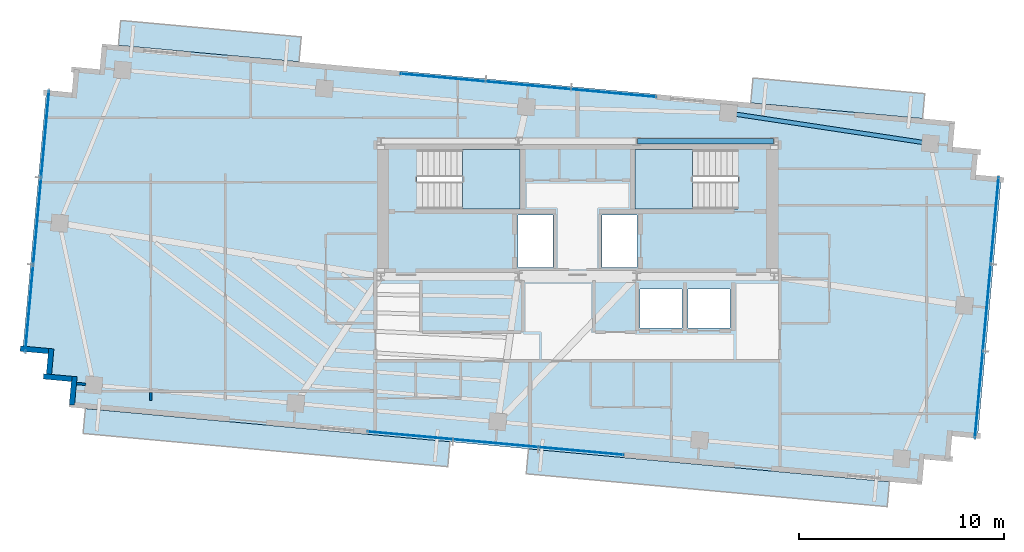
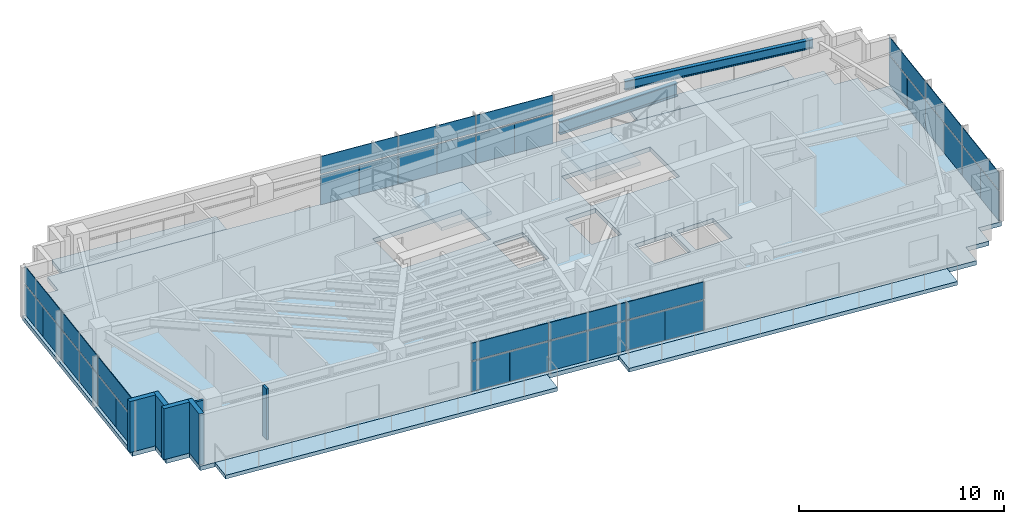
# One storey, part 15 of 22: 36 plates, 7 slabs, 6 walls, 2 beams, 6 elements without a shape of their own.
"""IFC4 building model written with IfcOpenShell, lengths in metres."""

from ifc_helpers import new_model, si_unit, direction, frame, frame_2d, origin, origin_2d, place, context, subcontext, project, spatial, polyline, rectangle, i_section, outline, extrude, source, transform, mapped, material, layer, layer_set, material_profile, profile_set, type_object, type_shapes, element, aggregate, save


model = new_model("IFC4")

# Units and contexts
model_context = context("Model", 3, precision=1e-05, world=origin(), true_north=direction((0.0, 1.0)))
body_context = subcontext(model_context, "Body", "Model", "MODEL_VIEW")
ifc_project = project(units=[si_unit("LENGTHUNIT", "METRE"), si_unit("AREAUNIT", "SQUARE_METRE"), si_unit("VOLUMEUNIT", "CUBIC_METRE"), si_unit("PLANEANGLEUNIT", "RADIAN"), si_unit("MASSUNIT", "GRAM", prefix="KILO")], contexts=[model_context])

# Site, building, storey
site_placement = place(None, origin())
site = spatial("IfcSite", under=ifc_project, at=site_placement, CompositionType="ELEMENT")
building_placement = place(site_placement, origin())
building = spatial("IfcBuilding", under=site, at=building_placement, Name="Astriad Promenade Condominiums", CompositionType="ELEMENT")
storey_placement = place(building_placement, frame((0.0, 0.0, 219.89990234375)))
storey = spatial("IfcBuildingStorey", under=building, at=storey_placement, Name="L63", CompositionType="ELEMENT", Elevation=219.89990234375)

# Beams
ifc_material_1 = material(Name="Steel ASTM A992 Grade 50", Category="steel")
ifc_material_profile_1 = material_profile(ifc_material_1, i_section(OverallWidth=0.267822265625, OverallDepth=0.76953125, WebThickness=0.015625, FlangeThickness=0.025390625, FilletRadius=0.021484375, at=origin_2d()), Name="W30X132")
ifc_profile_set_1 = profile_set([ifc_material_profile_1], Name="Steel ASTM A992 Grade 50")
beam_type_1 = type_object("IfcBeamType", Name="STEEL FLOOR GIRDER W30X132", PredefinedType="BEAM", material=ifc_profile_set_1)
shared_shape_1 = source(origin(), body_context, "Body", "SweptSolid", [
    extrude(i_section(OverallWidth=0.267822265625, OverallDepth=0.76953125, WebThickness=0.015625, FlangeThickness=0.025390625, FilletRadius=0.021484375, at=origin_2d()), origin(), (0.0, 0.0, 1.0), 6.64013671875),
])
type_shapes(beam_type_1, [shared_shape_1])
beam_1_placement = place(storey_placement, frame((38.919921875, 24.0, 2.6552734375), z_axis=(1.0, 0.0, 0.0), x_axis=(0.0, 1.0, 0.0)))
element("IfcBeam", 1, at=beam_1_placement, inside=storey, type_object=beam_type_1, Name="Core Ring Beam CG-N3-L63", PredefinedType="BEAM", context=body_context, shape_type="MappedRepresentation", body=[
    mapped(shared_shape_1, transform((0.0, 0.0, 0.0), scale=1.0)),
])
ifc_material_profile_2 = material_profile(ifc_material_1, i_section(OverallWidth=0.210693359375, OverallDepth=0.53955078125, WebThickness=0.01171875, FlangeThickness=0.018798828125, FilletRadius=0.0166015625, at=origin_2d()), Name="W21X73")
ifc_profile_set_2 = profile_set([ifc_material_profile_2], Name="Steel ASTM A992 Grade 50")
beam_type_2 = type_object("IfcBeamType", Name="STEEL SPANDREL BEAM W21X73", PredefinedType="SPANDREL", material=ifc_profile_set_2)
shared_shape_2 = source(origin(), body_context, "Body", "SweptSolid", [
    extrude(i_section(OverallWidth=0.210693359375, OverallDepth=0.53955078125, WebThickness=0.01171875, FlangeThickness=0.018798828125, FilletRadius=0.0166015625, at=origin_2d()), origin(), (0.0, 0.0, 1.0), 9.890869140625),
])
type_shapes(beam_type_2, [shared_shape_2])
beam_2_placement = place(storey_placement, frame((53.1787109375, 23.899658203125, 2.7705078125), z_axis=(-0.988827455442, 0.149064628143, 0.0), x_axis=(-0.149064628143, -0.988827455442, 0.0)))
element("IfcBeam", 2, at=beam_2_placement, inside=storey, type_object=beam_type_2, Name="Perimeter Spandrel Beam SP-N4-L63", PredefinedType="SPANDREL", context=body_context, shape_type="MappedRepresentation", body=[
    mapped(shared_shape_2, transform((0.0, 0.0, 0.0), scale=1.0)),
])

# Slab
ifc_material_2 = material(Name="Concrete C50/60", Category="concrete")
ifc_layer_1 = layer(ifc_material_2, 0.260009765625)
ifc_layer_set_1 = layer_set([ifc_layer_1], Name="Concrete C50/60")
slab_type_1 = type_object("IfcSlabType", Name="CONCRETE TOWER FLOOR SLAB 260", PredefinedType="FLOOR", material=ifc_layer_set_1)
slab_1_placement = place(storey_placement, frame((0.0, 0.0, -0.260009765625)))
element("IfcSlab", 3, at=slab_1_placement, inside=storey, type_object=slab_type_1, Name="Structural Floor Slab (L63)", PredefinedType="FLOOR", context=body_context, shape_type="SweptSolid", body=[
    extrude(outline(polyline([(11.179443359375, 11.03076171875), (52.807373046875, 7.242431640625), (52.920654296875, 8.4873046875), (54.16552734375, 8.3740234375), (54.27880859375, 9.618896484375), (55.523681640625, 9.505615234375), (56.68359375, 22.2529296875), (55.43896484375, 22.3662109375), (55.55224609375, 23.611083984375), (54.307373046875, 23.724365234375), (54.420654296875, 24.96923828125), (12.79248046875, 28.757568359375), (12.679443359375, 27.5126953125), (11.4345703125, 27.6259765625), (11.3212890625, 26.381103515625), (10.076416015625, 26.494384765625), (8.916259765625, 13.7470703125), (10.1611328125, 13.6337890625), (10.0478515625, 12.388916015625), (11.292724609375, 12.275634765625), (11.179443359375, 11.03076171875)]), holes=[polyline([(28.175048828125, 20.699951171875), (33.175048828125, 20.699951171875), (33.175048828125, 23.60009765625), (28.175048828125, 23.60009765625), (28.175048828125, 20.699951171875)]), polyline([(38.824951171875, 20.699951171875), (43.824951171875, 20.699951171875), (43.824951171875, 23.60009765625), (38.824951171875, 23.60009765625), (38.824951171875, 20.699951171875)]), polyline([(33.10009765625, 17.85009765625), (34.800048828125, 17.85009765625), (34.800048828125, 20.39990234375), (33.10009765625, 20.39990234375), (33.10009765625, 17.85009765625)]), polyline([(37.199951171875, 17.85009765625), (38.89990234375, 17.85009765625), (38.89990234375, 20.39990234375), (37.199951171875, 20.39990234375), (37.199951171875, 17.85009765625)]), polyline([(39.050048828125, 14.89990234375), (41.10009765625, 14.89990234375), (41.10009765625, 16.800048828125), (39.050048828125, 16.800048828125), (39.050048828125, 14.89990234375)]), polyline([(41.39990234375, 14.89990234375), (43.449951171875, 14.89990234375), (43.449951171875, 16.800048828125), (41.39990234375, 16.800048828125), (41.39990234375, 14.89990234375)])]), origin(), (0.0, 0.0, 1.0), 0.260009765625),
])

# Stair, slab
stair_type = type_object("IfcStairType", Name="STR-CORE-1350", PredefinedType="HALF_TURN_STAIR", material=ifc_material_2)
stair_1_placement = place(storey_placement, origin())
stair_1 = element("IfcStair", 4, at=stair_1_placement, inside=storey, type_object=stair_type, Name="L63 Enclosed Core Exit Stair ST-1", PredefinedType="HALF_TURN_STAIR")
ifc_layer_2 = layer(ifc_material_2, 0.219970703125)
ifc_layer_set_2 = layer_set([ifc_layer_2], Name="Concrete C50/60")
slab_type_2 = type_object("IfcSlabType", Name="SLB-LANDING-220", PredefinedType="LANDING", material=ifc_layer_set_2)
slab_2_placement = place(storey_placement, frame((0.0, 0.0, 1.4501953125)))
slab_2 = element("IfcSlab", 5, at=slab_2_placement, type_object=slab_type_2, Name="ST-1 landing 1", PredefinedType="LANDING", context=body_context, shape_type="SweptSolid", body=[
    extrude(outline(polyline([(30.389892578125, 20.699951171875), (33.199951171875, 20.699951171875), (33.199951171875, 23.60009765625), (30.389892578125, 23.60009765625), (30.389892578125, 20.699951171875)])), origin(), (0.0, 0.0, 1.0), 0.199951171875),
])
aggregate(stair_1, [slab_2])

stair_2_placement = place(storey_placement, origin())
stair_2 = element("IfcStair", 6, at=stair_2_placement, inside=storey, type_object=stair_type, Name="L63 Enclosed Core Exit Stair ST-2", PredefinedType="HALF_TURN_STAIR")
slab_3_placement = place(storey_placement, frame((0.0, 0.0, 1.4501953125)))
slab_3 = element("IfcSlab", 7, at=slab_3_placement, type_object=slab_type_2, Name="ST-2 landing 1", PredefinedType="LANDING", context=body_context, shape_type="SweptSolid", body=[
    extrude(outline(polyline([(41.610107421875, 23.60009765625), (38.800048828125, 23.60009765625), (38.800048828125, 20.699951171875), (41.610107421875, 20.699951171875), (41.610107421875, 23.60009765625)])), origin(), (0.0, 0.0, 1.0), 0.199951171875),
])
aggregate(stair_2, [slab_3])

# Slabs
ifc_material_3 = material(Name="Precast concrete C50/60", Category="concrete")
ifc_layer_3 = layer(ifc_material_3, 0.219970703125)
ifc_layer_set_3 = layer_set([ifc_layer_3], Name="Precast concrete C50/60")
slab_type_3 = type_object("IfcSlabType", Name="WHITE PRECAST CONCRETE WAVE BALCONY SLAB 220", PredefinedType="FLOOR", material=ifc_layer_set_3)
slab_4_placement = place(storey_placement, frame((0.0, 0.0, -0.219970703125)))
element("IfcSlab", 8, at=slab_4_placement, inside=storey, type_object=slab_type_3, Name="White Precast Wave Balcony Slab BAL-L63-SW", PredefinedType="FLOOR", context=body_context, shape_type="SweptSolid", body=[
    extrude(outline(polyline([(29.6650390625, 8.12353515625), (11.866455078125, 9.743408203125), (11.976806640625, 10.956298828125), (29.775390625, 9.33642578125), (29.6650390625, 8.12353515625)])), origin(), (0.0, 0.0, 1.0), 0.219970703125),
])
slab_5_placement = place(storey_placement, frame((0.0, 0.0, -0.219970703125)))
element("IfcSlab", 9, at=slab_5_placement, inside=storey, type_object=slab_type_3, Name="White Precast Wave Balcony Slab BAL-L63-SE", PredefinedType="FLOOR", context=body_context, shape_type="SweptSolid", body=[
    extrude(outline(polyline([(51.1103515625, 6.171875), (33.494140625, 7.77490234375), (33.6044921875, 8.988037109375), (51.220703125, 7.384765625), (51.1103515625, 6.171875)])), origin(), (0.0, 0.0, 1.0), 0.219970703125),
])
slab_6_placement = place(storey_placement, frame((0.0, 0.0, -0.219970703125)))
element("IfcSlab", 10, at=slab_6_placement, inside=storey, type_object=slab_type_3, Name="White Precast Wave Balcony Slab BAL-L63-NW", PredefinedType="FLOOR", context=body_context, shape_type="SweptSolid", body=[
    extrude(outline(polyline([(13.700927734375, 29.89990234375), (22.513427734375, 29.097900390625), (22.403076171875, 27.885009765625), (13.590576171875, 28.68701171875), (13.700927734375, 29.89990234375)])), origin(), (0.0, 0.0, 1.0), 0.219970703125),
])
slab_7_placement = place(storey_placement, frame((0.0, 0.0, -0.219970703125)))
element("IfcSlab", 11, at=slab_7_placement, inside=storey, type_object=slab_type_3, Name="White Precast Wave Balcony Slab BAL-L63-NE", PredefinedType="FLOOR", context=body_context, shape_type="SweptSolid", body=[
    extrude(outline(polyline([(44.5625, 27.09130859375), (52.944580078125, 26.32861328125), (52.83447265625, 25.115478515625), (44.451904296875, 25.87841796875), (44.5625, 27.09130859375)])), origin(), (0.0, 0.0, 1.0), 0.219970703125),
])

# Curtain wall, plates
ifc_material_4 = material(Name="Anodised aluminium Black Dark Glass Unitised", Category="aluminium")
curtain_wall_type = type_object("IfcCurtainWallType", Name="CW-B5-DARK", PredefinedType="USERDEFINED", material=ifc_material_4)
curtain_wall_1_placement = place(storey_placement, origin())
curtain_wall_1 = element("IfcCurtainWall", 12, at=curtain_wall_1_placement, inside=storey, type_object=curtain_wall_type, Name="CW-L63-W", ObjectType="UNITISED_CURTAIN_WALL", PredefinedType="USERDEFINED")
ifc_material_5 = material(Name="Dark Tinted Low-E Laminated Glass", Category="glass")
ifc_layer_4 = layer(ifc_material_5, 0.035888671875)
ifc_layer_set_4 = layer_set([ifc_layer_4], Name="Dark Tinted Low-E Laminated Glass")
plate_type = type_object("IfcPlateType", Name="PNL-DARK-GLASS-36", PredefinedType="CURTAIN_PANEL", material=ifc_layer_set_4)
shared_shape_3 = source(origin(), body_context, "Body", "SweptSolid", [
    extrude(rectangle(XDim=2.121337890625, YDim=0.035888671875, at=origin_2d()), origin(), (0.0, 0.0, 1.0), 1.764892578125),
])
plate_1_placement = place(storey_placement, frame((9.142578125, 14.797607421875, 0.080078125), z_axis=(0.0, 0.0, 1.0), x_axis=(0.090632580198, 0.995884398616, 0.0)))
plate_1 = element("IfcPlate", 13, at=plate_1_placement, type_object=plate_type, Name="CW-L63-W-PNL-00-VL", PredefinedType="CURTAIN_PANEL", context=body_context, shape_type="MappedRepresentation", body=[
    mapped(shared_shape_3, transform((0.0, 0.0, 0.0), scale=1.0)),
])
plate_2_placement = place(storey_placement, frame((9.335693359375, 16.922119140625, 0.080078125), z_axis=(0.0, 0.0, 1.0), x_axis=(0.090632580198, 0.995884398616, 0.0)))
plate_2 = element("IfcPlate", 14, at=plate_2_placement, type_object=plate_type, Name="CW-L63-W-PNL-00-VR", PredefinedType="CURTAIN_PANEL", context=body_context, shape_type="MappedRepresentation", body=[
    mapped(shared_shape_3, transform((0.0, 0.0, 0.0), scale=1.0)),
])
plate_3_placement = place(storey_placement, frame((9.529296875, 19.046630859375, 0.080078125), z_axis=(0.0, 0.0, 1.0), x_axis=(0.090632580198, 0.995884398616, 0.0)))
plate_3 = element("IfcPlate", 15, at=plate_3_placement, type_object=plate_type, Name="CW-L63-W-PNL-01-VL", PredefinedType="CURTAIN_PANEL", context=body_context, shape_type="MappedRepresentation", body=[
    mapped(shared_shape_3, transform((0.0, 0.0, 0.0), scale=1.0)),
])
plate_4_placement = place(storey_placement, frame((9.722412109375, 21.17138671875, 0.080078125), z_axis=(0.0, 0.0, 1.0), x_axis=(0.090632580198, 0.995884398616, 0.0)))
plate_4 = element("IfcPlate", 16, at=plate_4_placement, type_object=plate_type, Name="CW-L63-W-PNL-01-VR", PredefinedType="CURTAIN_PANEL", context=body_context, shape_type="MappedRepresentation", body=[
    mapped(shared_shape_3, transform((0.0, 0.0, 0.0), scale=1.0)),
])
plate_5_placement = place(storey_placement, frame((9.916015625, 23.2958984375, 0.080078125), z_axis=(0.0, 0.0, 1.0), x_axis=(0.090632580198, 0.995884398616, 0.0)))
plate_5 = element("IfcPlate", 17, at=plate_5_placement, type_object=plate_type, Name="CW-L63-W-PNL-02-VL", PredefinedType="CURTAIN_PANEL", context=body_context, shape_type="MappedRepresentation", body=[
    mapped(shared_shape_3, transform((0.0, 0.0, 0.0), scale=1.0)),
])
plate_6_placement = place(storey_placement, frame((10.109130859375, 25.42041015625, 0.080078125), z_axis=(0.0, 0.0, 1.0), x_axis=(0.090632580198, 0.995884398616, 0.0)))
plate_6 = element("IfcPlate", 18, at=plate_6_placement, type_object=plate_type, Name="CW-L63-W-PNL-02-VR", PredefinedType="CURTAIN_PANEL", context=body_context, shape_type="MappedRepresentation", body=[
    mapped(shared_shape_3, transform((0.0, 0.0, 0.0), scale=1.0)),
])

curtain_wall_2_placement = place(storey_placement, origin())
curtain_wall_2 = element("IfcCurtainWall", 19, at=curtain_wall_2_placement, inside=storey, type_object=curtain_wall_type, Name="CW-L63-E", ObjectType="UNITISED_CURTAIN_WALL", PredefinedType="USERDEFINED")
plate_7_placement = place(storey_placement, frame((56.45751953125, 21.202392578125, 0.080078125), z_axis=(0.0, 0.0, 1.0), x_axis=(-0.090632580198, -0.995884398616, 0.0)))
plate_7 = element("IfcPlate", 20, at=plate_7_placement, type_object=plate_type, Name="CW-L63-E-PNL-00-VL", PredefinedType="CURTAIN_PANEL", context=body_context, shape_type="MappedRepresentation", body=[
    mapped(shared_shape_3, transform((0.0, 0.0, 0.0), scale=1.0)),
])
plate_8_placement = place(storey_placement, frame((56.26416015625, 19.077880859375, 0.080078125), z_axis=(0.0, 0.0, 1.0), x_axis=(-0.090632580198, -0.995884398616, 0.0)))
plate_8 = element("IfcPlate", 21, at=plate_8_placement, type_object=plate_type, Name="CW-L63-E-PNL-00-VR", PredefinedType="CURTAIN_PANEL", context=body_context, shape_type="MappedRepresentation", body=[
    mapped(shared_shape_3, transform((0.0, 0.0, 0.0), scale=1.0)),
])
plate_9_placement = place(storey_placement, frame((56.07080078125, 16.953369140625, 0.080078125), z_axis=(0.0, 0.0, 1.0), x_axis=(-0.090632580198, -0.995884398616, 0.0)))
plate_9 = element("IfcPlate", 22, at=plate_9_placement, type_object=plate_type, Name="CW-L63-E-PNL-01-VL", PredefinedType="CURTAIN_PANEL", context=body_context, shape_type="MappedRepresentation", body=[
    mapped(shared_shape_3, transform((0.0, 0.0, 0.0), scale=1.0)),
])
plate_10_placement = place(storey_placement, frame((55.87744140625, 14.82861328125, 0.080078125), z_axis=(0.0, 0.0, 1.0), x_axis=(-0.090632580198, -0.995884398616, 0.0)))
plate_10 = element("IfcPlate", 23, at=plate_10_placement, type_object=plate_type, Name="CW-L63-E-PNL-01-VR", PredefinedType="CURTAIN_PANEL", context=body_context, shape_type="MappedRepresentation", body=[
    mapped(shared_shape_3, transform((0.0, 0.0, 0.0), scale=1.0)),
])
plate_11_placement = place(storey_placement, frame((55.68408203125, 12.7041015625, 0.080078125), z_axis=(0.0, 0.0, 1.0), x_axis=(-0.090632580198, -0.995884398616, 0.0)))
plate_11 = element("IfcPlate", 24, at=plate_11_placement, type_object=plate_type, Name="CW-L63-E-PNL-02-VL", PredefinedType="CURTAIN_PANEL", context=body_context, shape_type="MappedRepresentation", body=[
    mapped(shared_shape_3, transform((0.0, 0.0, 0.0), scale=1.0)),
])
plate_12_placement = place(storey_placement, frame((55.49072265625, 10.57958984375, 0.080078125), z_axis=(0.0, 0.0, 1.0), x_axis=(-0.090632580198, -0.995884398616, 0.0)))
plate_12 = element("IfcPlate", 25, at=plate_12_placement, type_object=plate_type, Name="CW-L63-E-PNL-02-VR", PredefinedType="CURTAIN_PANEL", context=body_context, shape_type="MappedRepresentation", body=[
    mapped(shared_shape_3, transform((0.0, 0.0, 0.0), scale=1.0)),
])

# Plate
shared_shape_4 = source(origin(), body_context, "Body", "SweptSolid", [
    extrude(rectangle(XDim=4.254638671875, YDim=0.035888671875, at=origin_2d()), origin(), (0.0, 0.0, 1.0), 1.03515625),
])
plate_13_placement = place(storey_placement, frame((9.239013671875, 15.85986328125, 1.9248046875), z_axis=(0.0, 0.0, 1.0), x_axis=(0.090632580198, 0.995884398616, 0.0)))
plate_13 = element("IfcPlate", 26, at=plate_13_placement, type_object=plate_type, Name="CW-L63-W-PNL-00-S", PredefinedType="CURTAIN_PANEL", context=body_context, shape_type="MappedRepresentation", body=[
    mapped(shared_shape_4, transform((0.0, 0.0, 0.0), scale=1.0)),
])

plate_14_placement = place(storey_placement, frame((9.625732421875, 20.10888671875, 1.9248046875), z_axis=(0.0, 0.0, 1.0), x_axis=(0.090632580198, 0.995884398616, 0.0)))
plate_14 = element("IfcPlate", 27, at=plate_14_placement, type_object=plate_type, Name="CW-L63-W-PNL-01-S", PredefinedType="CURTAIN_PANEL", context=body_context, shape_type="MappedRepresentation", body=[
    mapped(shared_shape_4, transform((0.0, 0.0, 0.0), scale=1.0)),
])

plate_15_placement = place(storey_placement, frame((10.0126953125, 24.358154296875, 1.9248046875), z_axis=(0.0, 0.0, 1.0), x_axis=(0.090632580198, 0.995884398616, 0.0)))
plate_15 = element("IfcPlate", 28, at=plate_15_placement, type_object=plate_type, Name="CW-L63-W-PNL-02-S", PredefinedType="CURTAIN_PANEL", context=body_context, shape_type="MappedRepresentation", body=[
    mapped(shared_shape_4, transform((0.0, 0.0, 0.0), scale=1.0)),
])

aggregate(curtain_wall_1, [plate_1, plate_2, plate_13, plate_3, plate_4, plate_14, plate_5, plate_6, plate_15])

plate_16_placement = place(storey_placement, frame((56.36083984375, 20.14013671875, 1.9248046875), z_axis=(0.0, 0.0, 1.0), x_axis=(-0.090632580198, -0.995884398616, 0.0)))
plate_16 = element("IfcPlate", 29, at=plate_16_placement, type_object=plate_type, Name="CW-L63-E-PNL-00-S", PredefinedType="CURTAIN_PANEL", context=body_context, shape_type="MappedRepresentation", body=[
    mapped(shared_shape_4, transform((0.0, 0.0, 0.0), scale=1.0)),
])

plate_17_placement = place(storey_placement, frame((55.97412109375, 15.89111328125, 1.9248046875), z_axis=(0.0, 0.0, 1.0), x_axis=(-0.090632580198, -0.995884398616, 0.0)))
plate_17 = element("IfcPlate", 30, at=plate_17_placement, type_object=plate_type, Name="CW-L63-E-PNL-01-S", PredefinedType="CURTAIN_PANEL", context=body_context, shape_type="MappedRepresentation", body=[
    mapped(shared_shape_4, transform((0.0, 0.0, 0.0), scale=1.0)),
])

plate_18_placement = place(storey_placement, frame((55.58740234375, 11.641845703125, 1.9248046875), z_axis=(0.0, 0.0, 1.0), x_axis=(-0.090632580198, -0.995884398616, 0.0)))
plate_18 = element("IfcPlate", 31, at=plate_18_placement, type_object=plate_type, Name="CW-L63-E-PNL-02-S", PredefinedType="CURTAIN_PANEL", context=body_context, shape_type="MappedRepresentation", body=[
    mapped(shared_shape_4, transform((0.0, 0.0, 0.0), scale=1.0)),
])

aggregate(curtain_wall_2, [plate_7, plate_8, plate_16, plate_9, plate_10, plate_17, plate_11, plate_12, plate_18])

# Curtain wall, plates
curtain_wall_3_placement = place(storey_placement, origin())
curtain_wall_3 = element("IfcCurtainWall", 32, at=curtain_wall_3_placement, inside=storey, type_object=curtain_wall_type, Name="CW-L63-N", ObjectType="UNITISED_CURTAIN_WALL", PredefinedType="USERDEFINED")
shared_shape_5 = source(origin(), body_context, "Body", "SweptSolid", [
    extrude(rectangle(XDim=2.077880859375, YDim=0.035888671875, at=origin_2d()), origin(), (0.0, 0.0, 1.0), 1.764892578125),
])
plate_19_placement = place(storey_placement, frame((28.391357421875, 27.20751953125, 0.080078125), z_axis=(0.0, 0.0, 1.0), x_axis=(0.995884398616, -0.090632580198, 0.0)))
plate_19 = element("IfcPlate", 33, at=plate_19_placement, type_object=plate_type, Name="CW-L63-N-PNL-00-VL", PredefinedType="CURTAIN_PANEL", context=body_context, shape_type="MappedRepresentation", body=[
    mapped(shared_shape_5, transform((0.0, 0.0, 0.0), scale=1.0)),
])
plate_20_placement = place(storey_placement, frame((30.47265625, 27.01806640625, 0.080078125), z_axis=(0.0, 0.0, 1.0), x_axis=(0.995884398616, -0.090632580198, 0.0)))
plate_20 = element("IfcPlate", 34, at=plate_20_placement, type_object=plate_type, Name="CW-L63-N-PNL-00-VR", PredefinedType="CURTAIN_PANEL", context=body_context, shape_type="MappedRepresentation", body=[
    mapped(shared_shape_5, transform((0.0, 0.0, 0.0), scale=1.0)),
])
plate_21_placement = place(storey_placement, frame((32.55419921875, 26.82861328125, 0.080078125), z_axis=(0.0, 0.0, 1.0), x_axis=(0.995884398616, -0.090632580198, 0.0)))
plate_21 = element("IfcPlate", 35, at=plate_21_placement, type_object=plate_type, Name="CW-L63-N-PNL-01-VL", PredefinedType="CURTAIN_PANEL", context=body_context, shape_type="MappedRepresentation", body=[
    mapped(shared_shape_5, transform((0.0, 0.0, 0.0), scale=1.0)),
])
plate_22_placement = place(storey_placement, frame((34.635498046875, 26.63916015625, 0.080078125), z_axis=(0.0, 0.0, 1.0), x_axis=(0.995884398616, -0.090632580198, 0.0)))
plate_22 = element("IfcPlate", 36, at=plate_22_placement, type_object=plate_type, Name="CW-L63-N-PNL-01-VR", PredefinedType="CURTAIN_PANEL", context=body_context, shape_type="MappedRepresentation", body=[
    mapped(shared_shape_5, transform((0.0, 0.0, 0.0), scale=1.0)),
])
plate_23_placement = place(storey_placement, frame((36.716796875, 26.44970703125, 0.080078125), z_axis=(0.0, 0.0, 1.0), x_axis=(0.995884398616, -0.090632580198, 0.0)))
plate_23 = element("IfcPlate", 37, at=plate_23_placement, type_object=plate_type, Name="CW-L63-N-PNL-02-VL", PredefinedType="CURTAIN_PANEL", context=body_context, shape_type="MappedRepresentation", body=[
    mapped(shared_shape_5, transform((0.0, 0.0, 0.0), scale=1.0)),
])
plate_24_placement = place(storey_placement, frame((38.79833984375, 26.26025390625, 0.080078125), z_axis=(0.0, 0.0, 1.0), x_axis=(0.995884398616, -0.090632580198, 0.0)))
plate_24 = element("IfcPlate", 38, at=plate_24_placement, type_object=plate_type, Name="CW-L63-N-PNL-02-VR", PredefinedType="CURTAIN_PANEL", context=body_context, shape_type="MappedRepresentation", body=[
    mapped(shared_shape_5, transform((0.0, 0.0, 0.0), scale=1.0)),
])

curtain_wall_4_placement = place(storey_placement, origin())
curtain_wall_4 = element("IfcCurtainWall", 39, at=curtain_wall_4_placement, inside=storey, type_object=curtain_wall_type, Name="CW-L63-S", ObjectType="UNITISED_CURTAIN_WALL", PredefinedType="USERDEFINED")
plate_25_placement = place(storey_placement, frame((37.208740234375, 8.79248046875, 0.080078125), z_axis=(0.0, 0.0, 1.0), x_axis=(-0.995884398616, 0.090632580198, 0.0)))
plate_25 = element("IfcPlate", 40, at=plate_25_placement, type_object=plate_type, Name="CW-L63-S-PNL-00-VL", PredefinedType="CURTAIN_PANEL", context=body_context, shape_type="MappedRepresentation", body=[
    mapped(shared_shape_5, transform((0.0, 0.0, 0.0), scale=1.0)),
])
plate_26_placement = place(storey_placement, frame((35.127197265625, 8.98193359375, 0.080078125), z_axis=(0.0, 0.0, 1.0), x_axis=(-0.995884398616, 0.090632580198, 0.0)))
plate_26 = element("IfcPlate", 41, at=plate_26_placement, type_object=plate_type, Name="CW-L63-S-PNL-00-VR", PredefinedType="CURTAIN_PANEL", context=body_context, shape_type="MappedRepresentation", body=[
    mapped(shared_shape_5, transform((0.0, 0.0, 0.0), scale=1.0)),
])
plate_27_placement = place(storey_placement, frame((33.0458984375, 9.17138671875, 0.080078125), z_axis=(0.0, 0.0, 1.0), x_axis=(-0.995884398616, 0.090632580198, 0.0)))
plate_27 = element("IfcPlate", 42, at=plate_27_placement, type_object=plate_type, Name="CW-L63-S-PNL-01-VL", PredefinedType="CURTAIN_PANEL", context=body_context, shape_type="MappedRepresentation", body=[
    mapped(shared_shape_5, transform((0.0, 0.0, 0.0), scale=1.0)),
])
plate_28_placement = place(storey_placement, frame((30.964599609375, 9.36083984375, 0.080078125), z_axis=(0.0, 0.0, 1.0), x_axis=(-0.995884398616, 0.090632580198, 0.0)))
plate_28 = element("IfcPlate", 43, at=plate_28_placement, type_object=plate_type, Name="CW-L63-S-PNL-01-VR", PredefinedType="CURTAIN_PANEL", context=body_context, shape_type="MappedRepresentation", body=[
    mapped(shared_shape_5, transform((0.0, 0.0, 0.0), scale=1.0)),
])
plate_29_placement = place(storey_placement, frame((28.883056640625, 9.55029296875, 0.080078125), z_axis=(0.0, 0.0, 1.0), x_axis=(-0.995884398616, 0.090632580198, 0.0)))
plate_29 = element("IfcPlate", 44, at=plate_29_placement, type_object=plate_type, Name="CW-L63-S-PNL-02-VL", PredefinedType="CURTAIN_PANEL", context=body_context, shape_type="MappedRepresentation", body=[
    mapped(shared_shape_5, transform((0.0, 0.0, 0.0), scale=1.0)),
])
plate_30_placement = place(storey_placement, frame((26.8017578125, 9.73974609375, 0.080078125), z_axis=(0.0, 0.0, 1.0), x_axis=(-0.995884398616, 0.090632580198, 0.0)))
plate_30 = element("IfcPlate", 45, at=plate_30_placement, type_object=plate_type, Name="CW-L63-S-PNL-02-VR", PredefinedType="CURTAIN_PANEL", context=body_context, shape_type="MappedRepresentation", body=[
    mapped(shared_shape_5, transform((0.0, 0.0, 0.0), scale=1.0)),
])

# Plate
shared_shape_6 = source(origin(), body_context, "Body", "SweptSolid", [
    extrude(rectangle(XDim=4.16796875, YDim=0.035888671875, at=origin_2d()), origin(), (0.0, 0.0, 1.0), 1.03515625),
])
type_shapes(plate_type, [shared_shape_3, shared_shape_4, shared_shape_5, shared_shape_6])
plate_31_placement = place(storey_placement, frame((29.431884765625, 27.11279296875, 1.9248046875), z_axis=(0.0, 0.0, 1.0), x_axis=(0.995884398616, -0.090632580198, 0.0)))
plate_31 = element("IfcPlate", 46, at=plate_31_placement, type_object=plate_type, Name="CW-L63-N-PNL-00-S", PredefinedType="CURTAIN_PANEL", context=body_context, shape_type="MappedRepresentation", body=[
    mapped(shared_shape_6, transform((0.0, 0.0, 0.0), scale=1.0)),
])

plate_32_placement = place(storey_placement, frame((33.5947265625, 26.73388671875, 1.9248046875), z_axis=(0.0, 0.0, 1.0), x_axis=(0.995884398616, -0.090632580198, 0.0)))
plate_32 = element("IfcPlate", 47, at=plate_32_placement, type_object=plate_type, Name="CW-L63-N-PNL-01-S", PredefinedType="CURTAIN_PANEL", context=body_context, shape_type="MappedRepresentation", body=[
    mapped(shared_shape_6, transform((0.0, 0.0, 0.0), scale=1.0)),
])

plate_33_placement = place(storey_placement, frame((37.757568359375, 26.35498046875, 1.9248046875), z_axis=(0.0, 0.0, 1.0), x_axis=(0.995884398616, -0.090632580198, 0.0)))
plate_33 = element("IfcPlate", 48, at=plate_33_placement, type_object=plate_type, Name="CW-L63-N-PNL-02-S", PredefinedType="CURTAIN_PANEL", context=body_context, shape_type="MappedRepresentation", body=[
    mapped(shared_shape_6, transform((0.0, 0.0, 0.0), scale=1.0)),
])

aggregate(curtain_wall_3, [plate_19, plate_20, plate_31, plate_21, plate_22, plate_32, plate_23, plate_24, plate_33])

plate_34_placement = place(storey_placement, frame((36.16796875, 8.88720703125, 1.9248046875), z_axis=(0.0, 0.0, 1.0), x_axis=(-0.995884398616, 0.090632580198, 0.0)))
plate_34 = element("IfcPlate", 49, at=plate_34_placement, type_object=plate_type, Name="CW-L63-S-PNL-00-S", PredefinedType="CURTAIN_PANEL", context=body_context, shape_type="MappedRepresentation", body=[
    mapped(shared_shape_6, transform((0.0, 0.0, 0.0), scale=1.0)),
])

plate_35_placement = place(storey_placement, frame((32.005126953125, 9.26611328125, 1.9248046875), z_axis=(0.0, 0.0, 1.0), x_axis=(-0.995884398616, 0.090632580198, 0.0)))
plate_35 = element("IfcPlate", 50, at=plate_35_placement, type_object=plate_type, Name="CW-L63-S-PNL-01-S", PredefinedType="CURTAIN_PANEL", context=body_context, shape_type="MappedRepresentation", body=[
    mapped(shared_shape_6, transform((0.0, 0.0, 0.0), scale=1.0)),
])

plate_36_placement = place(storey_placement, frame((27.84228515625, 9.64501953125, 1.9248046875), z_axis=(0.0, 0.0, 1.0), x_axis=(-0.995884398616, 0.090632580198, 0.0)))
plate_36 = element("IfcPlate", 51, at=plate_36_placement, type_object=plate_type, Name="CW-L63-S-PNL-02-S", PredefinedType="CURTAIN_PANEL", context=body_context, shape_type="MappedRepresentation", body=[
    mapped(shared_shape_6, transform((0.0, 0.0, 0.0), scale=1.0)),
])

aggregate(curtain_wall_4, [plate_25, plate_26, plate_34, plate_27, plate_28, plate_35, plate_29, plate_30, plate_36])

# Walls
ifc_layer_5 = layer(ifc_material_3, 0.260009765625)
ifc_layer_set_5 = layer_set([ifc_layer_5], Name="Precast concrete C50/60")
wall_type_1 = type_object("IfcWallType", Name="WALL-EXT-TWR-260", PredefinedType="STANDARD", material=ifc_layer_set_5)
wall_1_placement = place(storey_placement, frame((11.3193359375, 12.40380859375, 0.0), z_axis=(0.0, 0.0, 1.0), x_axis=(-0.995881721538, 0.090661991521, 0.0)))
element("IfcWall", 52, at=wall_1_placement, inside=storey, type_object=wall_type_1, Name="W-SER-L63-00", PredefinedType="STANDARD", context=body_context, shape_type="SweptSolid", body=[
    extrude(rectangle(XDim=1.39501953125, YDim=0.260009765625, at=frame_2d((0.697509765625, 0.0))), origin(), (0.0, 0.0, 1.0), 3.0400390625),
])
wall_2_placement = place(storey_placement, frame((10.187744140625, 12.49169921875, 0.0), z_axis=(0.0, 0.0, 1.0), x_axis=(0.090646191665, 0.995883159782, 0.0)))
element("IfcWall", 53, at=wall_2_placement, inside=storey, type_object=wall_type_1, Name="W-SER-L63-01", PredefinedType="STANDARD", context=body_context, shape_type="SweptSolid", body=[
    extrude(rectangle(XDim=1.395263671875, YDim=0.260009765625, at=frame_2d((0.69775390625, 0.0))), origin(), (0.0, 0.0, 1.0), 3.0400390625),
])
for number, where, z_axis, x_axis, name in (
    (54, (10.187744140625, 13.761962890625, 0.0), (0.0, 0.0, 1.0), (-0.995881721538, 0.090661991521, 0.0), "W-SER-L63-02"),
    (55, (11.3193359375, 11.133544921875, 0.0), (0.0, 0.0, 1.0), (0.090661991521, 0.995881721538, 0.0), "W-SER-L63-19"),
):
    element("IfcWall", number, at=place(storey_placement, frame(where, z_axis=z_axis, x_axis=x_axis)), inside=storey, type_object=wall_type_1, Name=name, PredefinedType="STANDARD", context=body_context, shape_type="SweptSolid", body=[
        extrude(rectangle(XDim=1.39501953125, YDim=0.260009765625, at=frame_2d((0.697509765625, 0.0))), origin(), (0.0, 0.0, 1.0), 3.0400390625),
    ])
ifc_material_6 = material(Name="Acoustic Metal-Stud Gypsum Partition")
ifc_layer_6 = layer(ifc_material_6, 0.1201171875)
ifc_layer_set_6 = layer_set([ifc_layer_6], Name="Acoustic Metal-Stud Gypsum Partition")
wall_type_2 = type_object("IfcWallType", Name="WALL-PART-120", PredefinedType="PARTITIONING", material=ifc_layer_set_6)
wall_3_placement = place(storey_placement, frame((15.172119140625, 11.35595703125, 0.0), z_axis=(0.0, 0.0, 1.0), x_axis=(0.0, 1.0, 0.0)))
element("IfcWall", 56, at=wall_3_placement, inside=storey, type_object=wall_type_2, Name="PT-L63-W1-WDV3", PredefinedType="PARTITIONING", context=body_context, shape_type="SweptSolid", body=[
    extrude(rectangle(XDim=0.3779296875, YDim=0.1201171875, at=frame_2d((0.18896484375, 0.0))), origin(), (0.0, 0.0, 1.0), 3.0400390625),
])
wall_4_placement = place(storey_placement, frame((12.00341796875, 12.140625, 0.0), z_axis=(0.0, 0.0, 1.0), x_axis=(-0.995884462012, 0.090631883588, 0.0)))
element("IfcWall", 57, at=wall_4_placement, inside=storey, type_object=wall_type_2, Name="PT-PIL-L63-PC01-8", PredefinedType="PARTITIONING", context=body_context, shape_type="SweptSolid", body=[
    extrude(rectangle(XDim=0.4580078125, YDim=0.1201171875, at=frame_2d((0.22900390625, 0.0))), origin(), (0.0, 0.0, 1.0), 3.0400390625),
])

save(model, "model.ifc")
